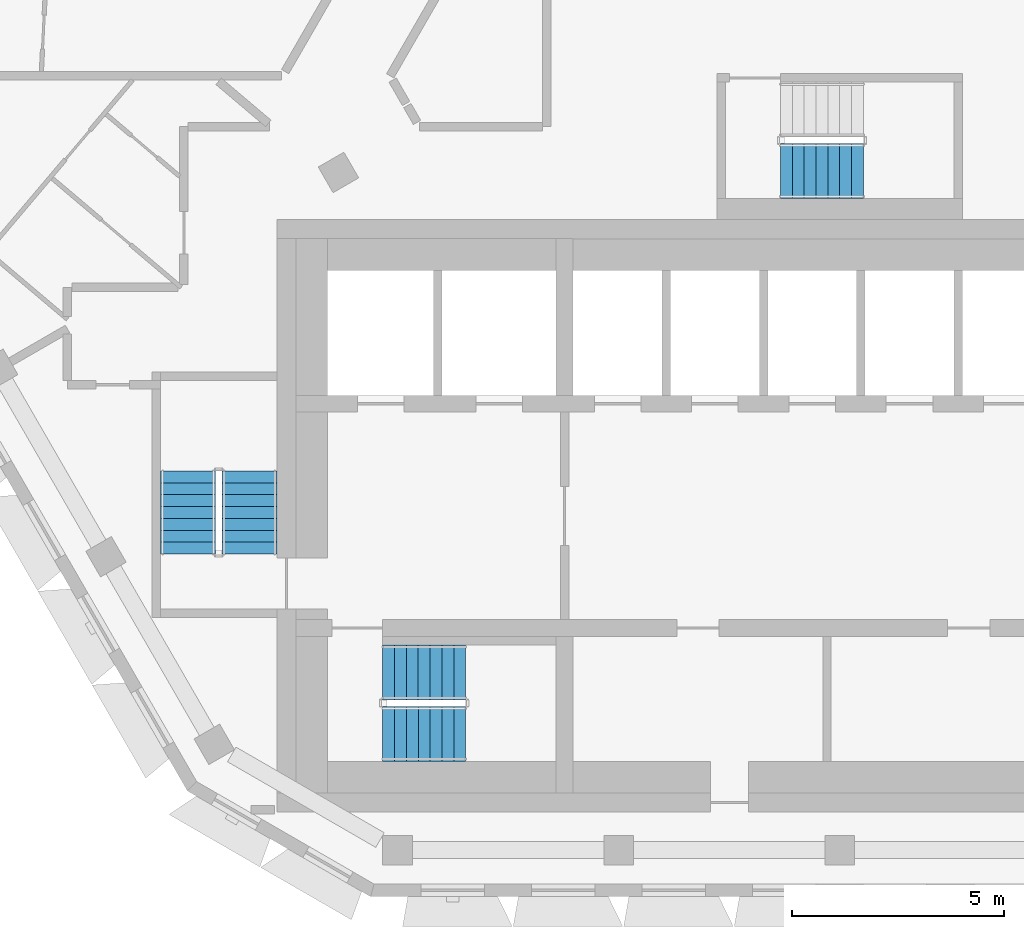
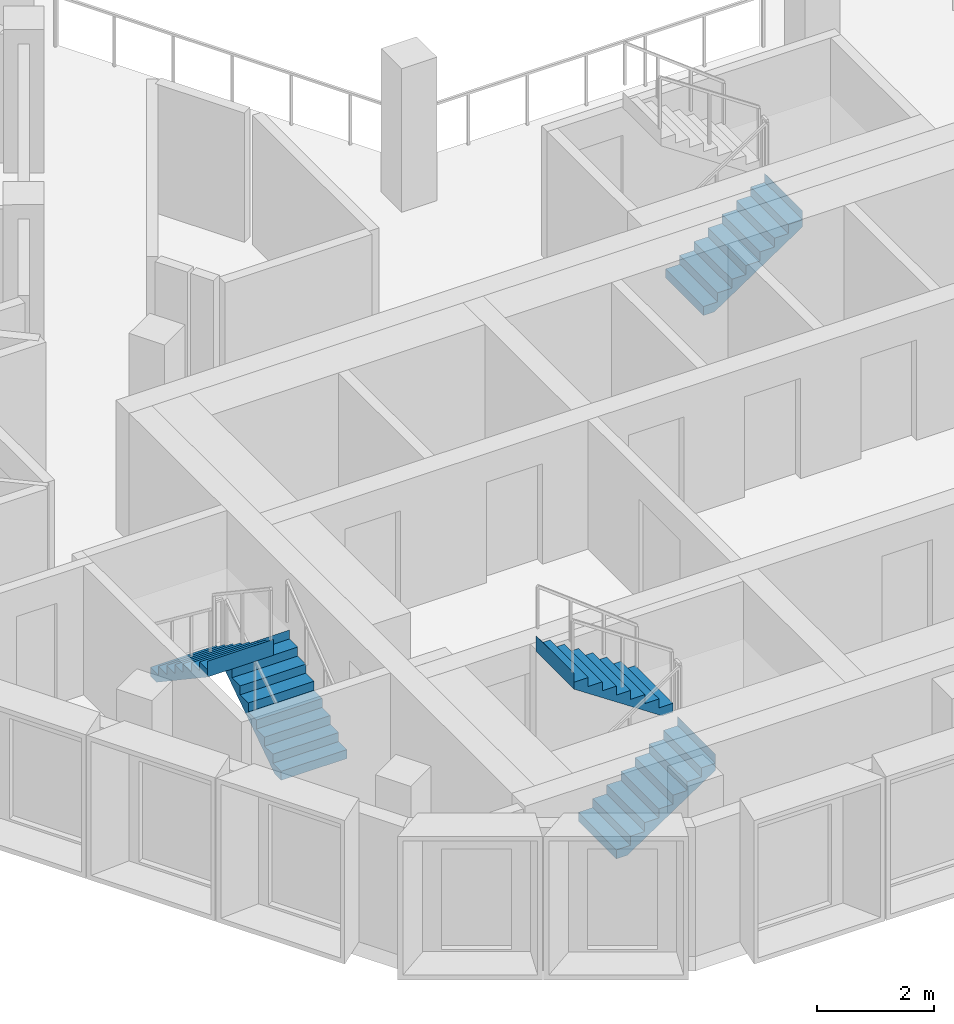
# One storey, part 10 of 16: 5 stair flights, 3 elements without a shape of their own.
"""IFC4 building model written with IfcOpenShell, lengths in metres."""

from ifc_helpers import new_model, si_unit, direction, frame, origin, place, context, subcontext, project, spatial, triangles, material, type_object, element, aggregate, save


model = new_model("IFC4")

# Units and contexts
model_context = context("Model", 3, precision=1e-05, world=origin(), true_north=direction((0.0, 1.0)))
body_context = subcontext(model_context, "Body", "Model", "MODEL_VIEW")
ifc_project = project(units=[si_unit("LENGTHUNIT", "METRE"), si_unit("AREAUNIT", "SQUARE_METRE"), si_unit("VOLUMEUNIT", "CUBIC_METRE"), si_unit("PLANEANGLEUNIT", "RADIAN"), si_unit("MASSUNIT", "GRAM", prefix="KILO")], contexts=[model_context])

# Site, building, storey
site_placement = place(None, origin())
site = spatial("IfcSite", under=ifc_project, at=site_placement, CompositionType="ELEMENT")
building_placement = place(site_placement, origin())
building = spatial("IfcBuilding", under=site, at=building_placement, Name="Beryl Residences", CompositionType="ELEMENT")
storey_placement = place(building_placement, frame((0.0, 0.0, 238.800048828125)))
storey = spatial("IfcBuildingStorey", under=building, at=storey_placement, Name="L74", CompositionType="ELEMENT", Elevation=238.800048828125)

# Stair, stair flights
ifc_material_1 = material(Name="Concrete C40/50", Category="concrete")
stair_type = type_object("IfcStairType", Name="ST1 protected exit stair, half-turn, 1300 mm flights", PredefinedType="HALF_TURN_STAIR", material=ifc_material_1)
stair_1_placement = place(storey_placement, origin())
stair_1 = element("IfcStair", 1, at=stair_1_placement, inside=storey, type_object=stair_type, Name="L74 PROTECTED EXIT STAIR ST-1", PredefinedType="HALF_TURN_STAIR")
ifc_material_2 = material(Name="Concrete C40/50", Category="concrete")
stair_flight_type = type_object("IfcStairFlightType", Name="SF1 stair flight 1300 mm", PredefinedType="STRAIGHT", material=ifc_material_2)
stair_flight_1_placement = place(storey_placement, frame((-10.800048828125, -17.14990234375, 0.0), z_axis=(0.0, 0.0, 1.0), x_axis=(1.0, 0.0, 0.0)))
stair_flight_1 = element("IfcStairFlight", 2, at=stair_flight_1_placement, type_object=stair_flight_type, Name="ST-1 flight 1", NumberOfRisers=8, NumberOfTreads=7, PredefinedType="STRAIGHT", RiserHeight=0.1875, TreadLength=0.28, context=body_context, shape_type="Tessellation", body=[
    triangles([(0.0, -0.64990234375, 0.0), (0.0, -0.324951171875, 0.0), (0.0, 0.0, 0.0), (0.0, 0.324951171875, 0.0), (0.0, 0.64990234375, 0.0), (0.0, -0.64990234375, 0.1875), (0.0, -0.324951171875, 0.1875), (0.0, 0.0, 0.1875), (0.0, 0.324951171875, 0.1875), (0.0, 0.64990234375, 0.1875), (0.280029296875, -0.64990234375, 0.1875), (0.280029296875, -0.324951171875, 0.1875), (0.280029296875, 0.0, 0.1875), (0.280029296875, 0.324951171875, 0.1875), (0.280029296875, 0.64990234375, 0.1875), (0.280029296875, -0.64990234375, 0.375), (0.280029296875, -0.324951171875, 0.375), (0.280029296875, 0.0, 0.375), (0.280029296875, 0.324951171875, 0.375), (0.280029296875, 0.64990234375, 0.375), (0.56005859375, -0.64990234375, 0.375), (0.56005859375, -0.324951171875, 0.375), (0.56005859375, 0.0, 0.375), (0.56005859375, 0.324951171875, 0.375), (0.56005859375, 0.64990234375, 0.375), (0.56005859375, -0.64990234375, 0.5625), (0.56005859375, -0.324951171875, 0.5625), (0.56005859375, 0.0, 0.5625), (0.56005859375, 0.324951171875, 0.5625), (0.56005859375, 0.64990234375, 0.5625), (0.840087890625, -0.64990234375, 0.5625), (0.840087890625, -0.324951171875, 0.5625), (0.840087890625, 0.0, 0.5625), (0.840087890625, 0.324951171875, 0.5625), (0.840087890625, 0.64990234375, 0.5625), (0.840087890625, -0.64990234375, 0.75), (0.840087890625, -0.324951171875, 0.75), (0.840087890625, 0.0, 0.75), (0.840087890625, 0.324951171875, 0.75), (0.840087890625, 0.64990234375, 0.75), (1.1201171875, -0.64990234375, 0.75), (1.1201171875, -0.324951171875, 0.75), (1.1201171875, 0.0, 0.75), (1.1201171875, 0.324951171875, 0.75), (1.1201171875, 0.64990234375, 0.75), (1.1201171875, -0.64990234375, 0.9375), (1.1201171875, -0.324951171875, 0.9375), (1.1201171875, 0.0, 0.9375), (1.1201171875, 0.324951171875, 0.9375), (1.1201171875, 0.64990234375, 0.9375), (1.39990234375, -0.64990234375, 0.9375), (1.39990234375, -0.324951171875, 0.9375), (1.39990234375, 0.0, 0.9375), (1.39990234375, 0.324951171875, 0.9375), (1.39990234375, 0.64990234375, 0.9375), (1.39990234375, -0.64990234375, 1.125), (1.39990234375, -0.324951171875, 1.125), (1.39990234375, 0.0, 1.125), (1.39990234375, 0.324951171875, 1.125), (1.39990234375, 0.64990234375, 1.125), (1.679931640625, -0.64990234375, 1.125), (1.679931640625, -0.324951171875, 1.125), (1.679931640625, 0.0, 1.125), (1.679931640625, 0.324951171875, 1.125), (1.679931640625, 0.64990234375, 1.125), (1.679931640625, -0.64990234375, 1.3125), (1.679931640625, -0.324951171875, 1.3125), (1.679931640625, 0.0, 1.3125), (1.679931640625, 0.324951171875, 1.3125), (1.679931640625, 0.64990234375, 1.3125), (1.9599609375, -0.64990234375, 1.3125), (1.9599609375, -0.324951171875, 1.3125), (1.9599609375, 0.0, 1.3125), (1.9599609375, 0.324951171875, 1.3125), (1.9599609375, 0.64990234375, 1.3125), (1.9599609375, -0.64990234375, 1.5), (1.9599609375, -0.324951171875, 1.5), (1.9599609375, 0.0, 1.5), (1.9599609375, 0.324951171875, 1.5), (1.9599609375, 0.64990234375, 1.5), (1.9609375, -0.64990234375, 1.5), (1.9609375, -0.324951171875, 1.5), (1.9609375, 0.0, 1.5), (1.9609375, 0.324951171875, 1.5), (1.9609375, 0.64990234375, 1.5), (1.9609375, -0.64990234375, 1.16796875), (1.9609375, -0.324951171875, 1.16796875), (1.9609375, 0.0, 1.16796875), (1.9609375, 0.324951171875, 1.16796875), (1.9609375, 0.64990234375, 1.16796875), (0.216796875, -0.64990234375, 0.0), (0.216796875, -0.324951171875, 0.0), (0.216796875, 0.0, 0.0), (0.216796875, 0.324951171875, 0.0), (0.216796875, 0.64990234375, 0.0)], [[1, 6, 7], [1, 7, 2], [2, 7, 8], [2, 8, 3], [3, 8, 9], [3, 9, 4], [4, 9, 10], [4, 10, 5], [6, 11, 12], [6, 12, 7], [7, 12, 13], [7, 13, 8], [8, 13, 14], [8, 14, 9], [9, 14, 15], [9, 15, 10], [11, 16, 17], [11, 17, 12], [12, 17, 18], [12, 18, 13], [13, 18, 19], [13, 19, 14], [14, 19, 20], [14, 20, 15], [16, 21, 22], [16, 22, 17], [17, 22, 23], [17, 23, 18], [18, 23, 24], [18, 24, 19], [19, 24, 25], [19, 25, 20], [21, 26, 27], [21, 27, 22], [22, 27, 28], [22, 28, 23], [23, 28, 29], [23, 29, 24], [24, 29, 30], [24, 30, 25], [26, 31, 32], [26, 32, 27], [27, 32, 33], [27, 33, 28], [28, 33, 34], [28, 34, 29], [29, 34, 35], [29, 35, 30], [31, 36, 37], [31, 37, 32], [32, 37, 38], [32, 38, 33], [33, 38, 39], [33, 39, 34], [34, 39, 40], [34, 40, 35], [36, 41, 42], [36, 42, 37], [37, 42, 43], [37, 43, 38], [38, 43, 44], [38, 44, 39], [39, 44, 45], [39, 45, 40], [41, 46, 47], [41, 47, 42], [42, 47, 48], [42, 48, 43], [43, 48, 49], [43, 49, 44], [44, 49, 50], [44, 50, 45], [46, 51, 52], [46, 52, 47], [47, 52, 53], [47, 53, 48], [48, 53, 54], [48, 54, 49], [49, 54, 55], [49, 55, 50], [51, 56, 57], [51, 57, 52], [52, 57, 58], [52, 58, 53], [53, 58, 59], [53, 59, 54], [54, 59, 60], [54, 60, 55], [56, 61, 62], [56, 62, 57], [57, 62, 63], [57, 63, 58], [58, 63, 64], [58, 64, 59], [59, 64, 65], [59, 65, 60], [61, 66, 67], [61, 67, 62], [62, 67, 68], [62, 68, 63], [63, 68, 69], [63, 69, 64], [64, 69, 70], [64, 70, 65], [66, 71, 72], [66, 72, 67], [67, 72, 73], [67, 73, 68], [68, 73, 74], [68, 74, 69], [69, 74, 75], [69, 75, 70], [71, 76, 77], [71, 77, 72], [72, 77, 78], [72, 78, 73], [73, 78, 79], [73, 79, 74], [74, 79, 80], [74, 80, 75], [76, 81, 82], [76, 82, 77], [77, 82, 83], [77, 83, 78], [78, 83, 84], [78, 84, 79], [79, 84, 85], [79, 85, 80], [81, 86, 87], [81, 87, 82], [82, 87, 88], [82, 88, 83], [83, 88, 89], [83, 89, 84], [84, 89, 90], [84, 90, 85], [86, 91, 92], [86, 92, 87], [87, 92, 93], [87, 93, 88], [88, 93, 94], [88, 94, 89], [89, 94, 95], [89, 95, 90], [91, 1, 2], [91, 2, 92], [92, 2, 3], [92, 3, 93], [93, 3, 4], [93, 4, 94], [94, 4, 5], [94, 5, 95], [1, 91, 86], [5, 90, 95], [86, 81, 76], [90, 80, 85], [86, 76, 71], [90, 75, 80], [86, 71, 66], [90, 70, 75], [86, 66, 61], [90, 65, 70], [61, 56, 51], [65, 55, 60], [86, 61, 51], [90, 55, 65], [51, 46, 41], [55, 45, 50], [86, 51, 41], [90, 45, 55], [41, 36, 31], [45, 35, 40], [86, 41, 31], [90, 35, 45], [31, 26, 21], [35, 25, 30], [86, 31, 21], [90, 25, 35], [21, 16, 11], [25, 15, 20], [86, 21, 11], [90, 15, 25], [1, 86, 11], [5, 15, 90], [11, 6, 1], [15, 5, 10]], closed=True),
])
stair_flight_2_placement = place(storey_placement, frame((-8.840087890625, -15.699951171875, 1.5), z_axis=(0.0, 0.0, 1.0), x_axis=(-1.0, 0.0, 0.0)))
stair_flight_2 = element("IfcStairFlight", 3, at=stair_flight_2_placement, type_object=stair_flight_type, Name="ST-1 flight 2", NumberOfRisers=8, NumberOfTreads=7, PredefinedType="STRAIGHT", RiserHeight=0.1875, TreadLength=0.28, context=body_context, shape_type="Tessellation", body=[
    triangles([(0.0, -0.64990234375, 0.0), (0.0, -0.324951171875, 0.0), (0.0, 0.0, 0.0), (0.0, 0.324951171875, 0.0), (0.0, 0.64990234375, 0.0), (0.0, -0.64990234375, 0.1875), (0.0, -0.324951171875, 0.1875), (0.0, 0.0, 0.1875), (0.0, 0.324951171875, 0.1875), (0.0, 0.64990234375, 0.1875), (0.280029296875, -0.64990234375, 0.1875), (0.280029296875, -0.324951171875, 0.1875), (0.280029296875, 0.0, 0.1875), (0.280029296875, 0.324951171875, 0.1875), (0.280029296875, 0.64990234375, 0.1875), (0.280029296875, -0.64990234375, 0.375), (0.280029296875, -0.324951171875, 0.375), (0.280029296875, 0.0, 0.375), (0.280029296875, 0.324951171875, 0.375), (0.280029296875, 0.64990234375, 0.375), (0.56005859375, -0.64990234375, 0.375), (0.56005859375, -0.324951171875, 0.375), (0.56005859375, 0.0, 0.375), (0.56005859375, 0.324951171875, 0.375), (0.56005859375, 0.64990234375, 0.375), (0.56005859375, -0.64990234375, 0.5625), (0.56005859375, -0.324951171875, 0.5625), (0.56005859375, 0.0, 0.5625), (0.56005859375, 0.324951171875, 0.5625), (0.56005859375, 0.64990234375, 0.5625), (0.840087890625, -0.64990234375, 0.5625), (0.840087890625, -0.324951171875, 0.5625), (0.840087890625, 0.0, 0.5625), (0.840087890625, 0.324951171875, 0.5625), (0.840087890625, 0.64990234375, 0.5625), (0.840087890625, -0.64990234375, 0.75), (0.840087890625, -0.324951171875, 0.75), (0.840087890625, 0.0, 0.75), (0.840087890625, 0.324951171875, 0.75), (0.840087890625, 0.64990234375, 0.75), (1.1201171875, -0.64990234375, 0.75), (1.1201171875, -0.324951171875, 0.75), (1.1201171875, 0.0, 0.75), (1.1201171875, 0.324951171875, 0.75), (1.1201171875, 0.64990234375, 0.75), (1.1201171875, -0.64990234375, 0.9375), (1.1201171875, -0.324951171875, 0.9375), (1.1201171875, 0.0, 0.9375), (1.1201171875, 0.324951171875, 0.9375), (1.1201171875, 0.64990234375, 0.9375), (1.39990234375, -0.64990234375, 0.9375), (1.39990234375, -0.324951171875, 0.9375), (1.39990234375, 0.0, 0.9375), (1.39990234375, 0.324951171875, 0.9375), (1.39990234375, 0.64990234375, 0.9375), (1.39990234375, -0.64990234375, 1.125), (1.39990234375, -0.324951171875, 1.125), (1.39990234375, 0.0, 1.125), (1.39990234375, 0.324951171875, 1.125), (1.39990234375, 0.64990234375, 1.125), (1.679931640625, -0.64990234375, 1.125), (1.679931640625, -0.324951171875, 1.125), (1.679931640625, 0.0, 1.125), (1.679931640625, 0.324951171875, 1.125), (1.679931640625, 0.64990234375, 1.125), (1.679931640625, -0.64990234375, 1.3125), (1.679931640625, -0.324951171875, 1.3125), (1.679931640625, 0.0, 1.3125), (1.679931640625, 0.324951171875, 1.3125), (1.679931640625, 0.64990234375, 1.3125), (1.9599609375, -0.64990234375, 1.3125), (1.9599609375, -0.324951171875, 1.3125), (1.9599609375, 0.0, 1.3125), (1.9599609375, 0.324951171875, 1.3125), (1.9599609375, 0.64990234375, 1.3125), (1.9599609375, -0.64990234375, 1.5), (1.9599609375, -0.324951171875, 1.5), (1.9599609375, 0.0, 1.5), (1.9599609375, 0.324951171875, 1.5), (1.9599609375, 0.64990234375, 1.5), (1.9609375, -0.64990234375, 1.5), (1.9609375, -0.324951171875, 1.5), (1.9609375, 0.0, 1.5), (1.9609375, 0.324951171875, 1.5), (1.9609375, 0.64990234375, 1.5), (1.9609375, -0.64990234375, 1.16796875), (1.9609375, -0.324951171875, 1.16796875), (1.9609375, 0.0, 1.16796875), (1.9609375, 0.324951171875, 1.16796875), (1.9609375, 0.64990234375, 1.16796875), (0.216796875, -0.64990234375, 0.0), (0.216796875, -0.324951171875, 0.0), (0.216796875, 0.0, 0.0), (0.216796875, 0.324951171875, 0.0), (0.216796875, 0.64990234375, 0.0)], [[1, 6, 7], [1, 7, 2], [2, 7, 8], [2, 8, 3], [3, 8, 9], [3, 9, 4], [4, 9, 10], [4, 10, 5], [6, 11, 12], [6, 12, 7], [7, 12, 13], [7, 13, 8], [8, 13, 14], [8, 14, 9], [9, 14, 15], [9, 15, 10], [11, 16, 17], [11, 17, 12], [12, 17, 18], [12, 18, 13], [13, 18, 19], [13, 19, 14], [14, 19, 20], [14, 20, 15], [16, 21, 22], [16, 22, 17], [17, 22, 23], [17, 23, 18], [18, 23, 24], [18, 24, 19], [19, 24, 25], [19, 25, 20], [21, 26, 27], [21, 27, 22], [22, 27, 28], [22, 28, 23], [23, 28, 29], [23, 29, 24], [24, 29, 30], [24, 30, 25], [26, 31, 32], [26, 32, 27], [27, 32, 33], [27, 33, 28], [28, 33, 34], [28, 34, 29], [29, 34, 35], [29, 35, 30], [31, 36, 37], [31, 37, 32], [32, 37, 38], [32, 38, 33], [33, 38, 39], [33, 39, 34], [34, 39, 40], [34, 40, 35], [36, 41, 42], [36, 42, 37], [37, 42, 43], [37, 43, 38], [38, 43, 44], [38, 44, 39], [39, 44, 45], [39, 45, 40], [41, 46, 47], [41, 47, 42], [42, 47, 48], [42, 48, 43], [43, 48, 49], [43, 49, 44], [44, 49, 50], [44, 50, 45], [46, 51, 52], [46, 52, 47], [47, 52, 53], [47, 53, 48], [48, 53, 54], [48, 54, 49], [49, 54, 55], [49, 55, 50], [51, 56, 57], [51, 57, 52], [52, 57, 58], [52, 58, 53], [53, 58, 59], [53, 59, 54], [54, 59, 60], [54, 60, 55], [56, 61, 62], [56, 62, 57], [57, 62, 63], [57, 63, 58], [58, 63, 64], [58, 64, 59], [59, 64, 65], [59, 65, 60], [61, 66, 67], [61, 67, 62], [62, 67, 68], [62, 68, 63], [63, 68, 69], [63, 69, 64], [64, 69, 70], [64, 70, 65], [66, 71, 72], [66, 72, 67], [67, 72, 73], [67, 73, 68], [68, 73, 74], [68, 74, 69], [69, 74, 75], [69, 75, 70], [71, 76, 77], [71, 77, 72], [72, 77, 78], [72, 78, 73], [73, 78, 79], [73, 79, 74], [74, 79, 80], [74, 80, 75], [76, 81, 82], [76, 82, 77], [77, 82, 83], [77, 83, 78], [78, 83, 84], [78, 84, 79], [79, 84, 85], [79, 85, 80], [81, 86, 87], [81, 87, 82], [82, 87, 88], [82, 88, 83], [83, 88, 89], [83, 89, 84], [84, 89, 90], [84, 90, 85], [86, 91, 92], [86, 92, 87], [87, 92, 93], [87, 93, 88], [88, 93, 94], [88, 94, 89], [89, 94, 95], [89, 95, 90], [91, 1, 2], [91, 2, 92], [92, 2, 3], [92, 3, 93], [93, 3, 4], [93, 4, 94], [94, 4, 5], [94, 5, 95], [1, 91, 86], [5, 90, 95], [86, 81, 76], [90, 80, 85], [86, 76, 71], [90, 75, 80], [86, 71, 66], [90, 70, 75], [86, 66, 61], [90, 65, 70], [61, 56, 51], [65, 55, 60], [86, 61, 51], [90, 55, 65], [51, 46, 41], [55, 45, 50], [86, 51, 41], [90, 45, 55], [41, 36, 31], [45, 35, 40], [86, 41, 31], [90, 35, 45], [31, 26, 21], [35, 25, 30], [86, 31, 21], [90, 25, 35], [21, 16, 11], [25, 15, 20], [86, 21, 11], [90, 15, 25], [1, 86, 11], [5, 15, 90], [11, 6, 1], [15, 5, 10]], closed=True),
])
aggregate(stair_1, [stair_flight_1, stair_flight_2])

stair_2_placement = place(storey_placement, origin())
stair_2 = element("IfcStair", 4, at=stair_2_placement, inside=storey, type_object=stair_type, Name="L74 PROTECTED EXIT STAIR ST-2", PredefinedType="HALF_TURN_STAIR")
stair_flight_3_placement = place(storey_placement, frame((-13.949951171875, -12.89990234375, 0.0), z_axis=(0.0, 0.0, 1.0), x_axis=(0.0, 1.0, 0.0)))
stair_flight_3 = element("IfcStairFlight", 5, at=stair_flight_3_placement, type_object=stair_flight_type, Name="ST-2 flight 1", NumberOfRisers=8, NumberOfTreads=7, PredefinedType="STRAIGHT", RiserHeight=0.1875, TreadLength=0.28, context=body_context, shape_type="Tessellation", body=[
    triangles([(0.0, -0.64990234375, 0.0), (0.0, -0.324951171875, 0.0), (0.0, 0.0, 0.0), (0.0, 0.324951171875, 0.0), (0.0, 0.64990234375, 0.0), (0.0, -0.64990234375, 0.1875), (0.0, -0.324951171875, 0.1875), (0.0, 0.0, 0.1875), (0.0, 0.324951171875, 0.1875), (0.0, 0.64990234375, 0.1875), (0.280029296875, -0.64990234375, 0.1875), (0.280029296875, -0.324951171875, 0.1875), (0.280029296875, 0.0, 0.1875), (0.280029296875, 0.324951171875, 0.1875), (0.280029296875, 0.64990234375, 0.1875), (0.280029296875, -0.64990234375, 0.375), (0.280029296875, -0.324951171875, 0.375), (0.280029296875, 0.0, 0.375), (0.280029296875, 0.324951171875, 0.375), (0.280029296875, 0.64990234375, 0.375), (0.56005859375, -0.64990234375, 0.375), (0.56005859375, -0.324951171875, 0.375), (0.56005859375, 0.0, 0.375), (0.56005859375, 0.324951171875, 0.375), (0.56005859375, 0.64990234375, 0.375), (0.56005859375, -0.64990234375, 0.5625), (0.56005859375, -0.324951171875, 0.5625), (0.56005859375, 0.0, 0.5625), (0.56005859375, 0.324951171875, 0.5625), (0.56005859375, 0.64990234375, 0.5625), (0.840087890625, -0.64990234375, 0.5625), (0.840087890625, -0.324951171875, 0.5625), (0.840087890625, 0.0, 0.5625), (0.840087890625, 0.324951171875, 0.5625), (0.840087890625, 0.64990234375, 0.5625), (0.840087890625, -0.64990234375, 0.75), (0.840087890625, -0.324951171875, 0.75), (0.840087890625, 0.0, 0.75), (0.840087890625, 0.324951171875, 0.75), (0.840087890625, 0.64990234375, 0.75), (1.1201171875, -0.64990234375, 0.75), (1.1201171875, -0.324951171875, 0.75), (1.1201171875, 0.0, 0.75), (1.1201171875, 0.324951171875, 0.75), (1.1201171875, 0.64990234375, 0.75), (1.1201171875, -0.64990234375, 0.9375), (1.1201171875, -0.324951171875, 0.9375), (1.1201171875, 0.0, 0.9375), (1.1201171875, 0.324951171875, 0.9375), (1.1201171875, 0.64990234375, 0.9375), (1.39990234375, -0.64990234375, 0.9375), (1.39990234375, -0.324951171875, 0.9375), (1.39990234375, 0.0, 0.9375), (1.39990234375, 0.324951171875, 0.9375), (1.39990234375, 0.64990234375, 0.9375), (1.39990234375, -0.64990234375, 1.125), (1.39990234375, -0.324951171875, 1.125), (1.39990234375, 0.0, 1.125), (1.39990234375, 0.324951171875, 1.125), (1.39990234375, 0.64990234375, 1.125), (1.679931640625, -0.64990234375, 1.125), (1.679931640625, -0.324951171875, 1.125), (1.679931640625, 0.0, 1.125), (1.679931640625, 0.324951171875, 1.125), (1.679931640625, 0.64990234375, 1.125), (1.679931640625, -0.64990234375, 1.3125), (1.679931640625, -0.324951171875, 1.3125), (1.679931640625, 0.0, 1.3125), (1.679931640625, 0.324951171875, 1.3125), (1.679931640625, 0.64990234375, 1.3125), (1.9599609375, -0.64990234375, 1.3125), (1.9599609375, -0.324951171875, 1.3125), (1.9599609375, 0.0, 1.3125), (1.9599609375, 0.324951171875, 1.3125), (1.9599609375, 0.64990234375, 1.3125), (1.9599609375, -0.64990234375, 1.5), (1.9599609375, -0.324951171875, 1.5), (1.9599609375, 0.0, 1.5), (1.9599609375, 0.324951171875, 1.5), (1.9599609375, 0.64990234375, 1.5), (1.9609375, -0.64990234375, 1.5), (1.9609375, -0.324951171875, 1.5), (1.9609375, 0.0, 1.5), (1.9609375, 0.324951171875, 1.5), (1.9609375, 0.64990234375, 1.5), (1.9609375, -0.64990234375, 1.16796875), (1.9609375, -0.324951171875, 1.16796875), (1.9609375, 0.0, 1.16796875), (1.9609375, 0.324951171875, 1.16796875), (1.9609375, 0.64990234375, 1.16796875), (0.216796875, -0.64990234375, 0.0), (0.216796875, -0.324951171875, 0.0), (0.216796875, 0.0, 0.0), (0.216796875, 0.324951171875, 0.0), (0.216796875, 0.64990234375, 0.0)], [[1, 6, 7], [1, 7, 2], [2, 7, 8], [2, 8, 3], [3, 8, 9], [3, 9, 4], [4, 9, 10], [4, 10, 5], [6, 11, 12], [6, 12, 7], [7, 12, 13], [7, 13, 8], [8, 13, 14], [8, 14, 9], [9, 14, 15], [9, 15, 10], [11, 16, 17], [11, 17, 12], [12, 17, 18], [12, 18, 13], [13, 18, 19], [13, 19, 14], [14, 19, 20], [14, 20, 15], [16, 21, 22], [16, 22, 17], [17, 22, 23], [17, 23, 18], [18, 23, 24], [18, 24, 19], [19, 24, 25], [19, 25, 20], [21, 26, 27], [21, 27, 22], [22, 27, 28], [22, 28, 23], [23, 28, 29], [23, 29, 24], [24, 29, 30], [24, 30, 25], [26, 31, 32], [26, 32, 27], [27, 32, 33], [27, 33, 28], [28, 33, 34], [28, 34, 29], [29, 34, 35], [29, 35, 30], [31, 36, 37], [31, 37, 32], [32, 37, 38], [32, 38, 33], [33, 38, 39], [33, 39, 34], [34, 39, 40], [34, 40, 35], [36, 41, 42], [36, 42, 37], [37, 42, 43], [37, 43, 38], [38, 43, 44], [38, 44, 39], [39, 44, 45], [39, 45, 40], [41, 46, 47], [41, 47, 42], [42, 47, 48], [42, 48, 43], [43, 48, 49], [43, 49, 44], [44, 49, 50], [44, 50, 45], [46, 51, 52], [46, 52, 47], [47, 52, 53], [47, 53, 48], [48, 53, 54], [48, 54, 49], [49, 54, 55], [49, 55, 50], [51, 56, 57], [51, 57, 52], [52, 57, 58], [52, 58, 53], [53, 58, 59], [53, 59, 54], [54, 59, 60], [54, 60, 55], [56, 61, 62], [56, 62, 57], [57, 62, 63], [57, 63, 58], [58, 63, 64], [58, 64, 59], [59, 64, 65], [59, 65, 60], [61, 66, 67], [61, 67, 62], [62, 67, 68], [62, 68, 63], [63, 68, 69], [63, 69, 64], [64, 69, 70], [64, 70, 65], [66, 71, 72], [66, 72, 67], [67, 72, 73], [67, 73, 68], [68, 73, 74], [68, 74, 69], [69, 74, 75], [69, 75, 70], [71, 76, 77], [71, 77, 72], [72, 77, 78], [72, 78, 73], [73, 78, 79], [73, 79, 74], [74, 79, 80], [74, 80, 75], [76, 81, 82], [76, 82, 77], [77, 82, 83], [77, 83, 78], [78, 83, 84], [78, 84, 79], [79, 84, 85], [79, 85, 80], [81, 86, 87], [81, 87, 82], [82, 87, 88], [82, 88, 83], [83, 88, 89], [83, 89, 84], [84, 89, 90], [84, 90, 85], [86, 91, 92], [86, 92, 87], [87, 92, 93], [87, 93, 88], [88, 93, 94], [88, 94, 89], [89, 94, 95], [89, 95, 90], [91, 1, 2], [91, 2, 92], [92, 2, 3], [92, 3, 93], [93, 3, 4], [93, 4, 94], [94, 4, 5], [94, 5, 95], [1, 91, 86], [5, 90, 95], [86, 81, 76], [90, 80, 85], [86, 76, 71], [90, 75, 80], [86, 71, 66], [90, 70, 75], [86, 66, 61], [90, 65, 70], [61, 56, 51], [65, 55, 60], [86, 61, 51], [90, 55, 65], [51, 46, 41], [55, 45, 50], [86, 51, 41], [90, 45, 55], [41, 36, 31], [45, 35, 40], [86, 41, 31], [90, 35, 45], [31, 26, 21], [35, 25, 30], [86, 31, 21], [90, 25, 35], [21, 16, 11], [25, 15, 20], [86, 21, 11], [90, 15, 25], [1, 86, 11], [5, 15, 90], [11, 6, 1], [15, 5, 10]], closed=True),
])
stair_flight_4_placement = place(storey_placement, frame((-15.39990234375, -10.93994140625, 1.5), z_axis=(0.0, 0.0, 1.0), x_axis=(0.0, -1.0, 0.0)))
stair_flight_4 = element("IfcStairFlight", 6, at=stair_flight_4_placement, type_object=stair_flight_type, Name="ST-2 flight 2", NumberOfRisers=8, NumberOfTreads=7, PredefinedType="STRAIGHT", RiserHeight=0.1875, TreadLength=0.28, context=body_context, shape_type="Tessellation", body=[
    triangles([(0.0, -0.64990234375, 0.0), (0.0, -0.324951171875, 0.0), (0.0, 0.0, 0.0), (0.0, 0.324951171875, 0.0), (0.0, 0.64990234375, 0.0), (0.0, -0.64990234375, 0.1875), (0.0, -0.324951171875, 0.1875), (0.0, 0.0, 0.1875), (0.0, 0.324951171875, 0.1875), (0.0, 0.64990234375, 0.1875), (0.280029296875, -0.64990234375, 0.1875), (0.280029296875, -0.324951171875, 0.1875), (0.280029296875, 0.0, 0.1875), (0.280029296875, 0.324951171875, 0.1875), (0.280029296875, 0.64990234375, 0.1875), (0.280029296875, -0.64990234375, 0.375), (0.280029296875, -0.324951171875, 0.375), (0.280029296875, 0.0, 0.375), (0.280029296875, 0.324951171875, 0.375), (0.280029296875, 0.64990234375, 0.375), (0.56005859375, -0.64990234375, 0.375), (0.56005859375, -0.324951171875, 0.375), (0.56005859375, 0.0, 0.375), (0.56005859375, 0.324951171875, 0.375), (0.56005859375, 0.64990234375, 0.375), (0.56005859375, -0.64990234375, 0.5625), (0.56005859375, -0.324951171875, 0.5625), (0.56005859375, 0.0, 0.5625), (0.56005859375, 0.324951171875, 0.5625), (0.56005859375, 0.64990234375, 0.5625), (0.840087890625, -0.64990234375, 0.5625), (0.840087890625, -0.324951171875, 0.5625), (0.840087890625, 0.0, 0.5625), (0.840087890625, 0.324951171875, 0.5625), (0.840087890625, 0.64990234375, 0.5625), (0.840087890625, -0.64990234375, 0.75), (0.840087890625, -0.324951171875, 0.75), (0.840087890625, 0.0, 0.75), (0.840087890625, 0.324951171875, 0.75), (0.840087890625, 0.64990234375, 0.75), (1.1201171875, -0.64990234375, 0.75), (1.1201171875, -0.324951171875, 0.75), (1.1201171875, 0.0, 0.75), (1.1201171875, 0.324951171875, 0.75), (1.1201171875, 0.64990234375, 0.75), (1.1201171875, -0.64990234375, 0.9375), (1.1201171875, -0.324951171875, 0.9375), (1.1201171875, 0.0, 0.9375), (1.1201171875, 0.324951171875, 0.9375), (1.1201171875, 0.64990234375, 0.9375), (1.39990234375, -0.64990234375, 0.9375), (1.39990234375, -0.324951171875, 0.9375), (1.39990234375, 0.0, 0.9375), (1.39990234375, 0.324951171875, 0.9375), (1.39990234375, 0.64990234375, 0.9375), (1.39990234375, -0.64990234375, 1.125), (1.39990234375, -0.324951171875, 1.125), (1.39990234375, 0.0, 1.125), (1.39990234375, 0.324951171875, 1.125), (1.39990234375, 0.64990234375, 1.125), (1.679931640625, -0.64990234375, 1.125), (1.679931640625, -0.324951171875, 1.125), (1.679931640625, 0.0, 1.125), (1.679931640625, 0.324951171875, 1.125), (1.679931640625, 0.64990234375, 1.125), (1.679931640625, -0.64990234375, 1.3125), (1.679931640625, -0.324951171875, 1.3125), (1.679931640625, 0.0, 1.3125), (1.679931640625, 0.324951171875, 1.3125), (1.679931640625, 0.64990234375, 1.3125), (1.9599609375, -0.64990234375, 1.3125), (1.9599609375, -0.324951171875, 1.3125), (1.9599609375, 0.0, 1.3125), (1.9599609375, 0.324951171875, 1.3125), (1.9599609375, 0.64990234375, 1.3125), (1.9599609375, -0.64990234375, 1.5), (1.9599609375, -0.324951171875, 1.5), (1.9599609375, 0.0, 1.5), (1.9599609375, 0.324951171875, 1.5), (1.9599609375, 0.64990234375, 1.5), (1.9609375, -0.64990234375, 1.5), (1.9609375, -0.324951171875, 1.5), (1.9609375, 0.0, 1.5), (1.9609375, 0.324951171875, 1.5), (1.9609375, 0.64990234375, 1.5), (1.9609375, -0.64990234375, 1.16796875), (1.9609375, -0.324951171875, 1.16796875), (1.9609375, 0.0, 1.16796875), (1.9609375, 0.324951171875, 1.16796875), (1.9609375, 0.64990234375, 1.16796875), (0.216796875, -0.64990234375, 0.0), (0.216796875, -0.324951171875, 0.0), (0.216796875, 0.0, 0.0), (0.216796875, 0.324951171875, 0.0), (0.216796875, 0.64990234375, 0.0)], [[1, 6, 7], [1, 7, 2], [2, 7, 8], [2, 8, 3], [3, 8, 9], [3, 9, 4], [4, 9, 10], [4, 10, 5], [6, 11, 12], [6, 12, 7], [7, 12, 13], [7, 13, 8], [8, 13, 14], [8, 14, 9], [9, 14, 15], [9, 15, 10], [11, 16, 17], [11, 17, 12], [12, 17, 18], [12, 18, 13], [13, 18, 19], [13, 19, 14], [14, 19, 20], [14, 20, 15], [16, 21, 22], [16, 22, 17], [17, 22, 23], [17, 23, 18], [18, 23, 24], [18, 24, 19], [19, 24, 25], [19, 25, 20], [21, 26, 27], [21, 27, 22], [22, 27, 28], [22, 28, 23], [23, 28, 29], [23, 29, 24], [24, 29, 30], [24, 30, 25], [26, 31, 32], [26, 32, 27], [27, 32, 33], [27, 33, 28], [28, 33, 34], [28, 34, 29], [29, 34, 35], [29, 35, 30], [31, 36, 37], [31, 37, 32], [32, 37, 38], [32, 38, 33], [33, 38, 39], [33, 39, 34], [34, 39, 40], [34, 40, 35], [36, 41, 42], [36, 42, 37], [37, 42, 43], [37, 43, 38], [38, 43, 44], [38, 44, 39], [39, 44, 45], [39, 45, 40], [41, 46, 47], [41, 47, 42], [42, 47, 48], [42, 48, 43], [43, 48, 49], [43, 49, 44], [44, 49, 50], [44, 50, 45], [46, 51, 52], [46, 52, 47], [47, 52, 53], [47, 53, 48], [48, 53, 54], [48, 54, 49], [49, 54, 55], [49, 55, 50], [51, 56, 57], [51, 57, 52], [52, 57, 58], [52, 58, 53], [53, 58, 59], [53, 59, 54], [54, 59, 60], [54, 60, 55], [56, 61, 62], [56, 62, 57], [57, 62, 63], [57, 63, 58], [58, 63, 64], [58, 64, 59], [59, 64, 65], [59, 65, 60], [61, 66, 67], [61, 67, 62], [62, 67, 68], [62, 68, 63], [63, 68, 69], [63, 69, 64], [64, 69, 70], [64, 70, 65], [66, 71, 72], [66, 72, 67], [67, 72, 73], [67, 73, 68], [68, 73, 74], [68, 74, 69], [69, 74, 75], [69, 75, 70], [71, 76, 77], [71, 77, 72], [72, 77, 78], [72, 78, 73], [73, 78, 79], [73, 79, 74], [74, 79, 80], [74, 80, 75], [76, 81, 82], [76, 82, 77], [77, 82, 83], [77, 83, 78], [78, 83, 84], [78, 84, 79], [79, 84, 85], [79, 85, 80], [81, 86, 87], [81, 87, 82], [82, 87, 88], [82, 88, 83], [83, 88, 89], [83, 89, 84], [84, 89, 90], [84, 90, 85], [86, 91, 92], [86, 92, 87], [87, 92, 93], [87, 93, 88], [88, 93, 94], [88, 94, 89], [89, 94, 95], [89, 95, 90], [91, 1, 2], [91, 2, 92], [92, 2, 3], [92, 3, 93], [93, 3, 4], [93, 4, 94], [94, 4, 5], [94, 5, 95], [1, 91, 86], [5, 90, 95], [86, 81, 76], [90, 80, 85], [86, 76, 71], [90, 75, 80], [86, 71, 66], [90, 70, 75], [86, 66, 61], [90, 65, 70], [61, 56, 51], [65, 55, 60], [86, 61, 51], [90, 55, 65], [51, 46, 41], [55, 45, 50], [86, 51, 41], [90, 45, 55], [41, 36, 31], [45, 35, 40], [86, 41, 31], [90, 35, 45], [31, 26, 21], [35, 25, 30], [86, 31, 21], [90, 25, 35], [21, 16, 11], [25, 15, 20], [86, 21, 11], [90, 15, 25], [1, 86, 11], [5, 15, 90], [11, 6, 1], [15, 5, 10]], closed=True),
])
aggregate(stair_2, [stair_flight_3, stair_flight_4])

# Stair, stair flight
stair_3_placement = place(storey_placement, origin())
stair_3 = element("IfcStair", 7, at=stair_3_placement, inside=storey, type_object=stair_type, Name="L74 PROTECTED EXIT STAIR ST-4", PredefinedType="HALF_TURN_STAIR")
stair_flight_5_placement = place(storey_placement, frame((-1.39990234375, -3.85009765625, 0.0), z_axis=(0.0, 0.0, 1.0), x_axis=(1.0, 0.0, 0.0)))
stair_flight_5 = element("IfcStairFlight", 8, at=stair_flight_5_placement, type_object=stair_flight_type, Name="ST-4 flight 1", NumberOfRisers=8, NumberOfTreads=7, PredefinedType="STRAIGHT", RiserHeight=0.1875, TreadLength=0.28, context=body_context, shape_type="Tessellation", body=[
    triangles([(0.0, -0.64990234375, 0.0), (0.0, -0.324951171875, 0.0), (0.0, 0.0, 0.0), (0.0, 0.324951171875, 0.0), (0.0, 0.64990234375, 0.0), (0.0, -0.64990234375, 0.1875), (0.0, -0.324951171875, 0.1875), (0.0, 0.0, 0.1875), (0.0, 0.324951171875, 0.1875), (0.0, 0.64990234375, 0.1875), (0.280029296875, -0.64990234375, 0.1875), (0.280029296875, -0.324951171875, 0.1875), (0.280029296875, 0.0, 0.1875), (0.280029296875, 0.324951171875, 0.1875), (0.280029296875, 0.64990234375, 0.1875), (0.280029296875, -0.64990234375, 0.375), (0.280029296875, -0.324951171875, 0.375), (0.280029296875, 0.0, 0.375), (0.280029296875, 0.324951171875, 0.375), (0.280029296875, 0.64990234375, 0.375), (0.56005859375, -0.64990234375, 0.375), (0.56005859375, -0.324951171875, 0.375), (0.56005859375, 0.0, 0.375), (0.56005859375, 0.324951171875, 0.375), (0.56005859375, 0.64990234375, 0.375), (0.56005859375, -0.64990234375, 0.5625), (0.56005859375, -0.324951171875, 0.5625), (0.56005859375, 0.0, 0.5625), (0.56005859375, 0.324951171875, 0.5625), (0.56005859375, 0.64990234375, 0.5625), (0.840087890625, -0.64990234375, 0.5625), (0.840087890625, -0.324951171875, 0.5625), (0.840087890625, 0.0, 0.5625), (0.840087890625, 0.324951171875, 0.5625), (0.840087890625, 0.64990234375, 0.5625), (0.840087890625, -0.64990234375, 0.75), (0.840087890625, -0.324951171875, 0.75), (0.840087890625, 0.0, 0.75), (0.840087890625, 0.324951171875, 0.75), (0.840087890625, 0.64990234375, 0.75), (1.1201171875, -0.64990234375, 0.75), (1.1201171875, -0.324951171875, 0.75), (1.1201171875, 0.0, 0.75), (1.1201171875, 0.324951171875, 0.75), (1.1201171875, 0.64990234375, 0.75), (1.1201171875, -0.64990234375, 0.9375), (1.1201171875, -0.324951171875, 0.9375), (1.1201171875, 0.0, 0.9375), (1.1201171875, 0.324951171875, 0.9375), (1.1201171875, 0.64990234375, 0.9375), (1.39990234375, -0.64990234375, 0.9375), (1.39990234375, -0.324951171875, 0.9375), (1.39990234375, 0.0, 0.9375), (1.39990234375, 0.324951171875, 0.9375), (1.39990234375, 0.64990234375, 0.9375), (1.39990234375, -0.64990234375, 1.125), (1.39990234375, -0.324951171875, 1.125), (1.39990234375, 0.0, 1.125), (1.39990234375, 0.324951171875, 1.125), (1.39990234375, 0.64990234375, 1.125), (1.679931640625, -0.64990234375, 1.125), (1.679931640625, -0.324951171875, 1.125), (1.679931640625, 0.0, 1.125), (1.679931640625, 0.324951171875, 1.125), (1.679931640625, 0.64990234375, 1.125), (1.679931640625, -0.64990234375, 1.3125), (1.679931640625, -0.324951171875, 1.3125), (1.679931640625, 0.0, 1.3125), (1.679931640625, 0.324951171875, 1.3125), (1.679931640625, 0.64990234375, 1.3125), (1.9599609375, -0.64990234375, 1.3125), (1.9599609375, -0.324951171875, 1.3125), (1.9599609375, 0.0, 1.3125), (1.9599609375, 0.324951171875, 1.3125), (1.9599609375, 0.64990234375, 1.3125), (1.9599609375, -0.64990234375, 1.5), (1.9599609375, -0.324951171875, 1.5), (1.9599609375, 0.0, 1.5), (1.9599609375, 0.324951171875, 1.5), (1.9599609375, 0.64990234375, 1.5), (1.9609375, -0.64990234375, 1.5), (1.9609375, -0.324951171875, 1.5), (1.9609375, 0.0, 1.5), (1.9609375, 0.324951171875, 1.5), (1.9609375, 0.64990234375, 1.5), (1.9609375, -0.64990234375, 1.16796875), (1.9609375, -0.324951171875, 1.16796875), (1.9609375, 0.0, 1.16796875), (1.9609375, 0.324951171875, 1.16796875), (1.9609375, 0.64990234375, 1.16796875), (0.216796875, -0.64990234375, 0.0), (0.216796875, -0.324951171875, 0.0), (0.216796875, 0.0, 0.0), (0.216796875, 0.324951171875, 0.0), (0.216796875, 0.64990234375, 0.0)], [[1, 6, 7], [1, 7, 2], [2, 7, 8], [2, 8, 3], [3, 8, 9], [3, 9, 4], [4, 9, 10], [4, 10, 5], [6, 11, 12], [6, 12, 7], [7, 12, 13], [7, 13, 8], [8, 13, 14], [8, 14, 9], [9, 14, 15], [9, 15, 10], [11, 16, 17], [11, 17, 12], [12, 17, 18], [12, 18, 13], [13, 18, 19], [13, 19, 14], [14, 19, 20], [14, 20, 15], [16, 21, 22], [16, 22, 17], [17, 22, 23], [17, 23, 18], [18, 23, 24], [18, 24, 19], [19, 24, 25], [19, 25, 20], [21, 26, 27], [21, 27, 22], [22, 27, 28], [22, 28, 23], [23, 28, 29], [23, 29, 24], [24, 29, 30], [24, 30, 25], [26, 31, 32], [26, 32, 27], [27, 32, 33], [27, 33, 28], [28, 33, 34], [28, 34, 29], [29, 34, 35], [29, 35, 30], [31, 36, 37], [31, 37, 32], [32, 37, 38], [32, 38, 33], [33, 38, 39], [33, 39, 34], [34, 39, 40], [34, 40, 35], [36, 41, 42], [36, 42, 37], [37, 42, 43], [37, 43, 38], [38, 43, 44], [38, 44, 39], [39, 44, 45], [39, 45, 40], [41, 46, 47], [41, 47, 42], [42, 47, 48], [42, 48, 43], [43, 48, 49], [43, 49, 44], [44, 49, 50], [44, 50, 45], [46, 51, 52], [46, 52, 47], [47, 52, 53], [47, 53, 48], [48, 53, 54], [48, 54, 49], [49, 54, 55], [49, 55, 50], [51, 56, 57], [51, 57, 52], [52, 57, 58], [52, 58, 53], [53, 58, 59], [53, 59, 54], [54, 59, 60], [54, 60, 55], [56, 61, 62], [56, 62, 57], [57, 62, 63], [57, 63, 58], [58, 63, 64], [58, 64, 59], [59, 64, 65], [59, 65, 60], [61, 66, 67], [61, 67, 62], [62, 67, 68], [62, 68, 63], [63, 68, 69], [63, 69, 64], [64, 69, 70], [64, 70, 65], [66, 71, 72], [66, 72, 67], [67, 72, 73], [67, 73, 68], [68, 73, 74], [68, 74, 69], [69, 74, 75], [69, 75, 70], [71, 76, 77], [71, 77, 72], [72, 77, 78], [72, 78, 73], [73, 78, 79], [73, 79, 74], [74, 79, 80], [74, 80, 75], [76, 81, 82], [76, 82, 77], [77, 82, 83], [77, 83, 78], [78, 83, 84], [78, 84, 79], [79, 84, 85], [79, 85, 80], [81, 86, 87], [81, 87, 82], [82, 87, 88], [82, 88, 83], [83, 88, 89], [83, 89, 84], [84, 89, 90], [84, 90, 85], [86, 91, 92], [86, 92, 87], [87, 92, 93], [87, 93, 88], [88, 93, 94], [88, 94, 89], [89, 94, 95], [89, 95, 90], [91, 1, 2], [91, 2, 92], [92, 2, 3], [92, 3, 93], [93, 3, 4], [93, 4, 94], [94, 4, 5], [94, 5, 95], [1, 91, 86], [5, 90, 95], [86, 81, 76], [90, 80, 85], [86, 76, 71], [90, 75, 80], [86, 71, 66], [90, 70, 75], [86, 66, 61], [90, 65, 70], [61, 56, 51], [65, 55, 60], [86, 61, 51], [90, 55, 65], [51, 46, 41], [55, 45, 50], [86, 51, 41], [90, 45, 55], [41, 36, 31], [45, 35, 40], [86, 41, 31], [90, 35, 45], [31, 26, 21], [35, 25, 30], [86, 31, 21], [90, 25, 35], [21, 16, 11], [25, 15, 20], [86, 21, 11], [90, 15, 25], [1, 86, 11], [5, 15, 90], [11, 6, 1], [15, 5, 10]], closed=True),
])
aggregate(stair_3, [stair_flight_5])

save(model, "model.ifc")
